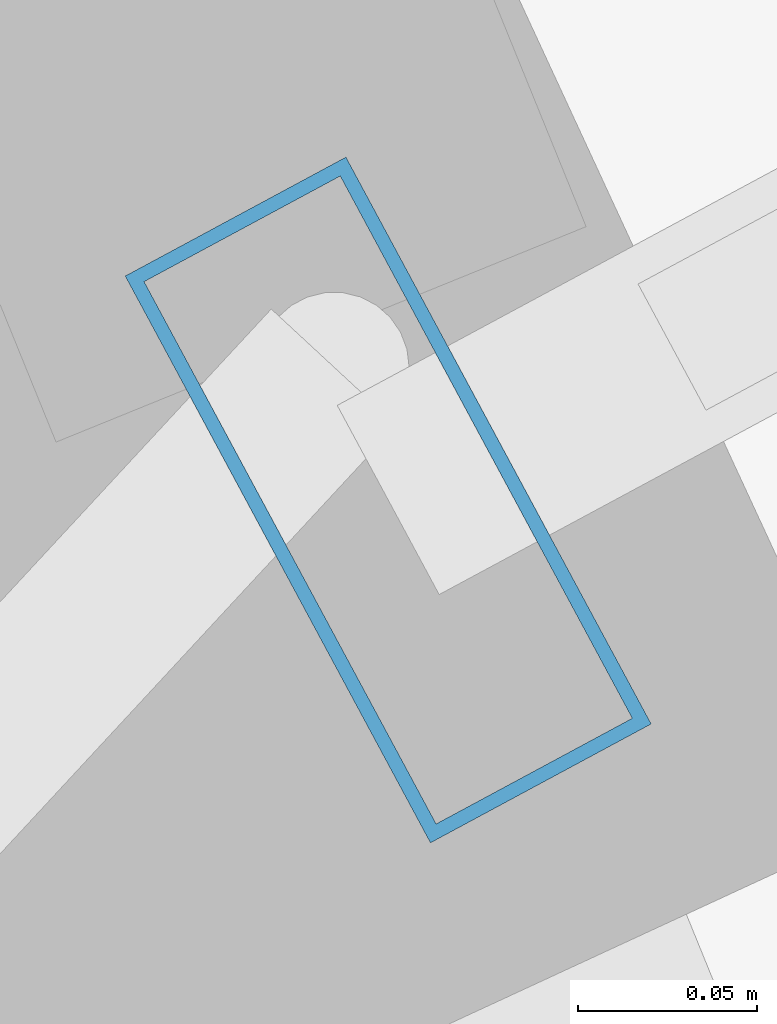
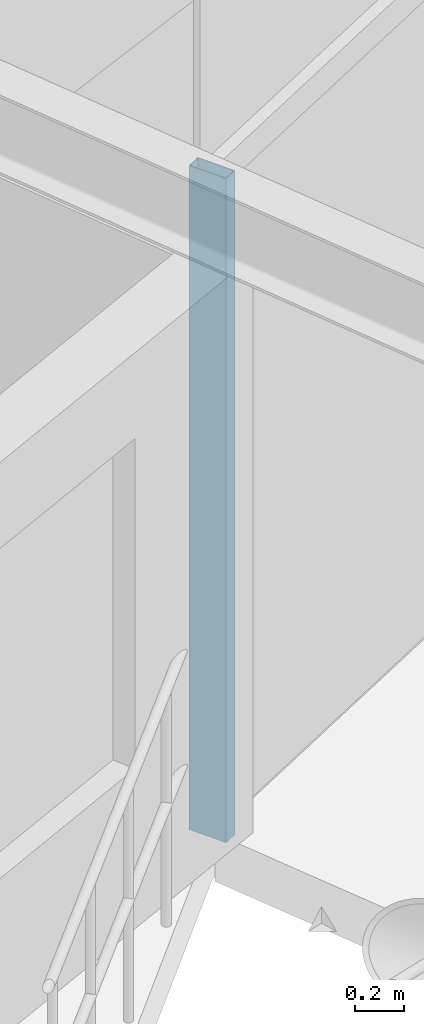
# One storey, part 2 of 15: 1 member, 1 element without a shape of its own.
"""IFC4 building model written with IfcOpenShell, lengths in metres."""

from ifc_helpers import new_model, si_unit, direction, frame, origin, origin_2d, place, context, subcontext, project, spatial, hollow_rectangle, extrude, material, layer, layer_set, material_profile, profile_set, type_object, element, aggregate, save


model = new_model("IFC4")

# Units and contexts
model_context = context("Model", 3, precision=1e-05, world=origin(), true_north=direction((0.0, 1.0)))
body_context = subcontext(model_context, "Body", "Model", "MODEL_VIEW")
ifc_project = project(units=[si_unit("LENGTHUNIT", "METRE"), si_unit("AREAUNIT", "SQUARE_METRE"), si_unit("VOLUMEUNIT", "CUBIC_METRE"), si_unit("PLANEANGLEUNIT", "RADIAN"), si_unit("MASSUNIT", "GRAM", prefix="KILO")], contexts=[model_context])

# Site, building, storey
site_placement = place(None, origin())
site = spatial("IfcSite", under=ifc_project, at=site_placement, CompositionType="ELEMENT")
building_placement = place(site_placement, origin())
building = spatial("IfcBuilding", under=site, at=building_placement, Name="Veldorina Hangang Commons", CompositionType="ELEMENT")
storey_placement = place(building_placement, frame((0.0, 0.0, 250.800048828125)))
storey = spatial("IfcBuildingStorey", under=building, at=storey_placement, Name="L65", CompositionType="ELEMENT", Elevation=250.800048828125)

# Curtain wall, member
ifc_material_1 = material(Name="Glass Low-E Selective", Category="glass")
ifc_layer = layer(ifc_material_1, 0.179931640625)
ifc_layer_set = layer_set([ifc_layer], Name="Glass Low-E Selective")
curtain_wall_type = type_object("IfcCurtainWallType", Name="CW-SYS-Z3", PredefinedType="NOTDEFINED", material=ifc_layer_set)
curtain_wall_placement = place(storey_placement, origin())
curtain_wall = element("IfcCurtainWall", 1, at=curtain_wall_placement, inside=storey, type_object=curtain_wall_type, Name="L65 unitised curtain wall CW-L65-R1", PredefinedType="NOTDEFINED")
ifc_material_2 = material(Name="Aluminium Anodized AA6063-T6", Category="aluminium")
ifc_material_profile = material_profile(ifc_material_2, hollow_rectangle(XDim=0.070068359375, YDim=0.179931640625, WallThickness=0.00390625, at=origin_2d()), Name="ALU-RHS-180x70x4")
ifc_profile_set = profile_set([ifc_material_profile], Name="Aluminium Anodized AA6063-T6")
member_type = type_object("IfcMemberType", Name="CW-MUL-180", PredefinedType="MULLION", material=ifc_profile_set)
member_placement = place(storey_placement, frame((39.801025390625, 5.025634765625, 0.0), z_axis=(0.0, 0.0, 1.0), x_axis=(0.880452529102, 0.474134310084, 0.0)))
member = element("IfcMember", 2, at=member_placement, type_object=member_type, Name="CW-L65-R1 vertical mullion 1", PredefinedType="MULLION", context=body_context, shape_type="SweptSolid", body=[
    extrude(hollow_rectangle(XDim=0.070068359375, YDim=0.179931640625, WallThickness=0.00390625, at=origin_2d()), origin(), (0.0, 0.0, 1.0), 3.320068359375),
])
aggregate(curtain_wall, [member])

save(model, "model.ifc")
